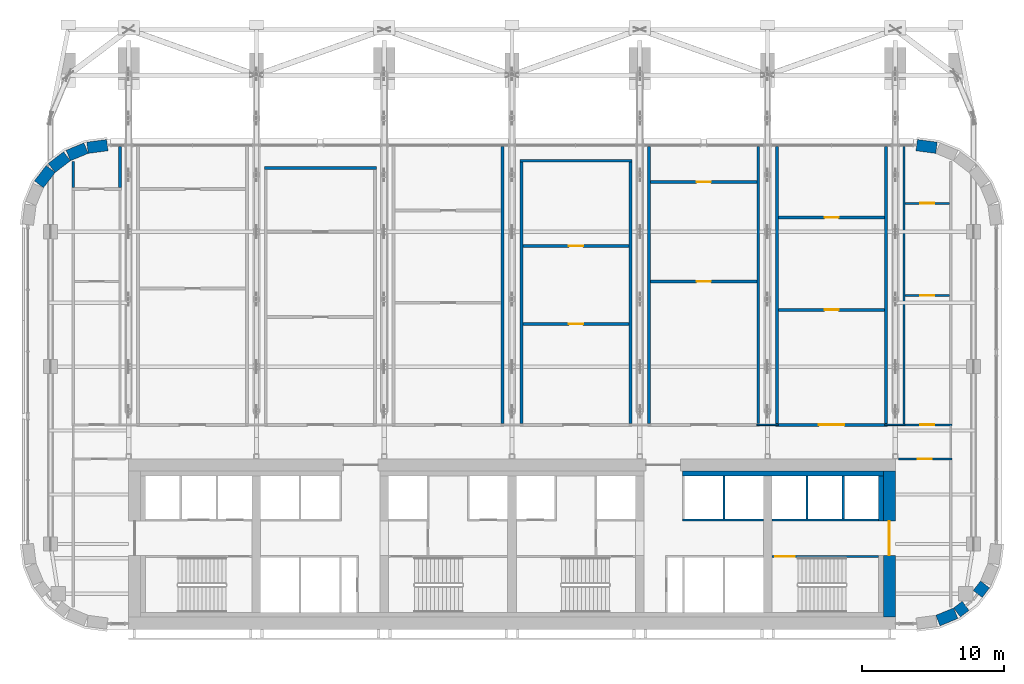
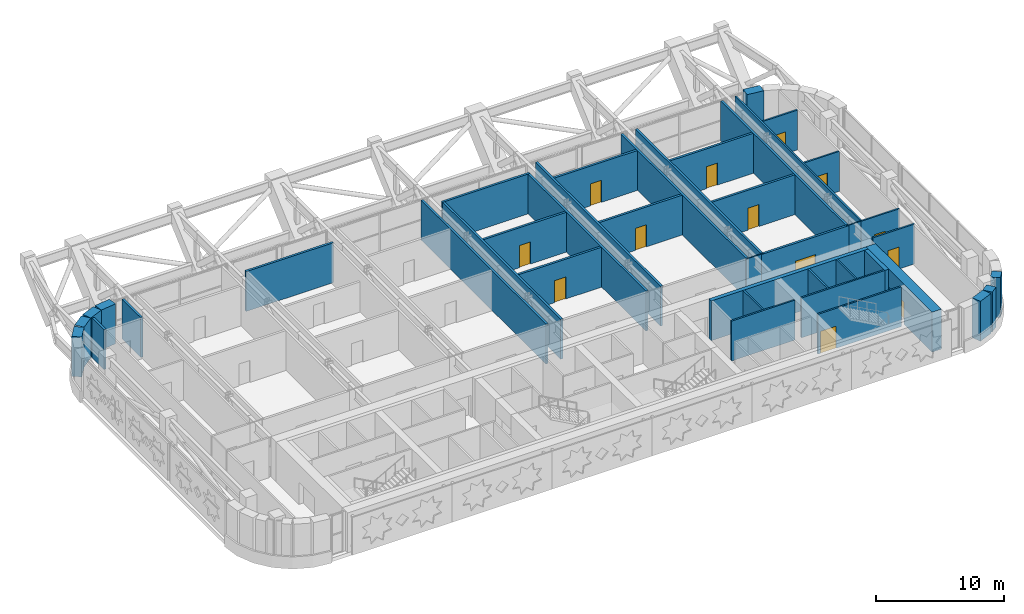
# One storey, part 14 of 23: 42 walls, 13 doors, 13 openings.
"""IFC4 building model written with IfcOpenShell, lengths in metres."""

from ifc_helpers import new_model, si_unit, direction, frame, frame_2d, origin, place, context, subcontext, project, spatial, rectangle, extrude, material, layer, layer_set, type_object, element, fill, save


model = new_model("IFC4")

# Units and contexts
model_context = context("Model", 3, precision=1e-05, world=origin(), true_north=direction((0.0, 1.0)))
body_context = subcontext(model_context, "Body", "Model", "MODEL_VIEW")
ifc_project = project(units=[si_unit("LENGTHUNIT", "METRE"), si_unit("AREAUNIT", "SQUARE_METRE"), si_unit("VOLUMEUNIT", "CUBIC_METRE"), si_unit("PLANEANGLEUNIT", "RADIAN"), si_unit("MASSUNIT", "GRAM", prefix="KILO")], contexts=[model_context])

# Site, building, storey
site_placement = place(None, origin())
site = spatial("IfcSite", under=ifc_project, at=site_placement, CompositionType="ELEMENT")
building_placement = place(site_placement, origin())
building = spatial("IfcBuilding", under=site, at=building_placement, Name="Zellij Exchange Tower", CompositionType="ELEMENT")
storey_placement = place(building_placement, frame((0.0, 0.0, 160.5)))
storey = spatial("IfcBuildingStorey", under=building, at=storey_placement, Name="L36", CompositionType="ELEMENT", Elevation=160.5)

# Walls
ifc_material_1 = material(Name="Concrete C30/37", Category="concrete")
ifc_layer_1 = layer(ifc_material_1, 0.35009765625)
ifc_layer_set_1 = layer_set([ifc_layer_1], Name="Concrete C30/37")
wall_type_1 = type_object("IfcWallType", Name="CORE-LW 350 C30/37", PredefinedType="SHEAR", material=ifc_layer_set_1)
wall_1_placement = place(storey_placement, frame((12.0, -3.02490234375, 0.0), z_axis=(0.0, 0.0, 1.0), x_axis=(1.0, 0.0, 0.0)))
element("IfcWall", 1, at=wall_1_placement, inside=storey, type_object=wall_type_1, Name="Core wall lining front.2 L36", PredefinedType="SHEAR", context=body_context, shape_type="SweptSolid", body=[
    extrude(rectangle(XDim=14.14990234375, YDim=0.35009765625, at=frame_2d((7.074951171875, 0.0))), origin(), (0.0, 0.0, 1.0), 3.800048828125),
])
wall_2_placement = place(storey_placement, frame((25.97509765625, -6.375, 0.0), z_axis=(0.0, 0.0, 1.0), x_axis=(0.0, 1.0, 0.0)))
element("IfcWall", 2, at=wall_2_placement, inside=storey, type_object=wall_type_1, Name="Core wall lining end e.1 L36", PredefinedType="SHEAR", context=body_context, shape_type="SweptSolid", body=[
    extrude(rectangle(XDim=3.175048828125, YDim=0.35009765625, at=frame_2d((1.58740234375, 0.0))), origin(), (0.0, 0.0, 1.0), 3.800048828125),
])
ifc_material_2 = material(Name="Gypsum shaft wall system")
ifc_layer_2 = layer(ifc_material_2, 0.14990234375)
ifc_layer_set_2 = layer_set([ifc_layer_2], Name="Gypsum shaft wall system")
wall_type_2 = type_object("IfcWallType", Name="CORE-PW 150 Lift shaft wall", PredefinedType="PARTITIONING", material=ifc_layer_set_2)
for number, where, z_axis, x_axis, name in (
    (3, (14.925048828125, -6.22509765625, 0.0), (0.0, 0.0, 1.0), (0.0, 1.0, 0.0), "Lift shaft wall L36"),
    (4, (20.77490234375, -6.22509765625, 0.0), (0.0, 0.0, 1.0), (0.0, 1.0, 0.0), "Lift shaft wall L36"),
    (5, (23.324951171875, -6.22509765625, 0.0), (0.0, 0.0, 1.0), (0.0, 1.0, 0.0), "Lift shaft wall L36"),
):
    element("IfcWall", number, at=place(storey_placement, frame(where, z_axis=z_axis, x_axis=x_axis)), inside=storey, type_object=wall_type_2, Name=name, PredefinedType="PARTITIONING", context=body_context, shape_type="SweptSolid", body=[
        extrude(rectangle(XDim=3.025146484375, YDim=0.14990234375, at=frame_2d((1.5126953125, 0.0))), origin(), (0.0, 0.0, 1.0), 3.800048828125),
    ])
wall_3_placement = place(storey_placement, frame((12.0, -6.300048828125, 0.0), z_axis=(0.0, 0.0, 1.0), x_axis=(1.0, 0.0, 0.0)))
element("IfcWall", 6, at=wall_3_placement, inside=storey, type_object=wall_type_2, Name="Lift shaft wall L36", PredefinedType="PARTITIONING", context=body_context, shape_type="SweptSolid", body=[
    extrude(rectangle(XDim=5.699951171875, YDim=0.14990234375, at=frame_2d((2.85009765625, 0.0))), origin(), (0.0, 0.0, 1.0), 3.800048828125),
])
wall_4_placement = place(storey_placement, frame((18.300048828125, -6.300048828125, 0.0), z_axis=(0.0, 0.0, 1.0), x_axis=(1.0, 0.0, 0.0)))
element("IfcWall", 7, at=wall_4_placement, inside=storey, type_object=wall_type_2, Name="Lift shaft wall L36", PredefinedType="PARTITIONING", context=body_context, shape_type="SweptSolid", body=[
    extrude(rectangle(XDim=7.5, YDim=0.14990234375, at=frame_2d((3.75, 0.0))), origin(), (0.0, 0.0, 1.0), 3.800048828125),
])

# Wall, opening, door
ifc_material_3 = material(Name="Concrete C60/75", Category="concrete")
ifc_layer_3 = layer(ifc_material_3, 0.85009765625)
ifc_layer_set_3 = layer_set([ifc_layer_3], Name="Concrete C60/75")
wall_type_3 = type_object("IfcWallType", Name="CORE-SW 850 C60/75", PredefinedType="SHEAR", material=ifc_layer_set_3)
wall_5_placement = place(storey_placement, frame((26.574951171875, -13.14990234375, 0.0), z_axis=(0.0, 0.0, 1.0), x_axis=(0.0, 1.0, 0.0)))
wall_5 = element("IfcWall", 8, at=wall_5_placement, inside=storey, type_object=wall_type_3, Name="Core shear wall end e L36", PredefinedType="SHEAR", context=body_context, shape_type="SweptSolid", body=[
    extrude(rectangle(XDim=10.2998046875, YDim=0.85009765625, at=frame_2d((5.14990234375, 0.0))), origin(), (0.0, 0.0, 1.0), 3.800048828125),
])
opening_1_placement = place(wall_5_placement, frame((4.362060546875, 0.0, 0.0)))
opening_1 = element("IfcOpeningElement", 9, at=opening_1_placement, cuts=wall_5, Name="Opening CA-20.16", PredefinedType="OPENING", context=body_context, shape_type="SweptSolid", body=[
    extrude(rectangle(XDim=2.39990234375, YDim=2.10009765625, at=frame_2d((1.199951171875, 1.050048828125))), frame((0.0, 0.43701171875, 0.0), z_axis=(0.0, -1.0, 0.0), x_axis=(1.0, 0.0, 0.0)), (0.0, 0.0, 1.0), 0.8740234375),
])
ifc_material_4 = material(Name="Hollow metal fire door")
door_type_1 = type_object("IfcDoorType", Name="CORE-D CE Core entrance door 2400x2100 20 MIN", OperationType="NOTDEFINED", PredefinedType="DOOR", material=ifc_material_4)
door_1_placement = place(opening_1_placement, origin())
door_1 = element("IfcDoor", 10, at=door_1_placement, inside=storey, type_object=door_type_1, Name="Core entrance door CA-20.16", OperationType="DOUBLE_DOOR_SINGLE_SWING", OverallHeight=2.10009765625, OverallWidth=2.39990234375, PredefinedType="DOOR", context=body_context, shape_type="SweptSolid", body=[
    extrude(rectangle(XDim=2.39990234375, YDim=2.10009765625, at=frame_2d((1.199951171875, 1.050048828125))), frame((0.0, 0.02490234375, 0.0), z_axis=(0.0, -1.0, 0.0), x_axis=(1.0, 0.0, 0.0)), (0.0, 0.0, 1.0), 0.050048828125),
])
fill(opening_1, door_1)

ifc_layer_4 = layer(ifc_material_3, 0.14990234375)
ifc_layer_set_4 = layer_set([ifc_layer_4], Name="Concrete C60/75")
wall_type_4 = type_object("IfcWallType", Name="CORE-SWS 150 C60/75", PredefinedType="SHEAR", material=ifc_layer_set_4)
wall_6_placement = place(storey_placement, frame((18.300048828125, -8.875, 0.0), z_axis=(0.0, 0.0, 1.0), x_axis=(1.0, 0.0, 0.0)))
wall_6 = element("IfcWall", 11, at=wall_6_placement, inside=storey, type_object=wall_type_4, Name="Stair enclosure wall L36", PredefinedType="SHEAR", context=body_context, shape_type="SweptSolid", body=[
    extrude(rectangle(XDim=7.5, YDim=0.14990234375, at=frame_2d((3.75, 0.0))), origin(), (0.0, 0.0, 1.0), 3.800048828125),
])
opening_2_placement = place(wall_6_placement, frame((0.22509765625, 0.0, 0.0)))
opening_2 = element("IfcOpeningElement", 12, at=opening_2_placement, cuts=wall_6, Name="Opening CA-20.15", PredefinedType="OPENING", context=body_context, shape_type="SweptSolid", body=[
    extrude(rectangle(XDim=1.39990234375, YDim=2.10009765625, at=frame_2d((0.699951171875, 1.050048828125))), frame((0.0, 0.0869140625, 0.0), z_axis=(0.0, -1.0, 0.0), x_axis=(1.0, 0.0, 0.0)), (0.0, 0.0, 1.0), 0.173828125),
])
door_type_2 = type_object("IfcDoorType", Name="CORE-D SD Stair door 1400x2100 1.5 HR", OperationType="NOTDEFINED", PredefinedType="DOOR", material=ifc_material_4)
door_2_placement = place(opening_2_placement, origin())
door_2 = element("IfcDoor", 13, at=door_2_placement, inside=storey, type_object=door_type_2, Name="Stair door CA-20.15", OperationType="DOUBLE_DOOR_SINGLE_SWING", OverallHeight=2.10009765625, OverallWidth=1.39990234375, PredefinedType="DOOR", context=body_context, shape_type="SweptSolid", body=[
    extrude(rectangle(XDim=1.39990234375, YDim=2.10009765625, at=frame_2d((0.699951171875, 1.050048828125))), frame((0.0, 0.02490234375, 0.0), z_axis=(0.0, -1.0, 0.0), x_axis=(1.0, 0.0, 0.0)), (0.0, 0.0, 1.0), 0.050048828125),
])
fill(opening_2, door_2)

# Walls
ifc_material_5 = material(Name="Precast concrete C40/50", Category="concrete")
ifc_layer_5 = layer(ifc_material_5, 0.800048828125)
ifc_layer_set_5 = layer_set([ifc_layer_5], Name="Precast concrete C40/50")
wall_type_5 = type_object("IfcWallType", Name="ENV-EW1 Precast stone-piered wall 800", PredefinedType="SOLIDWALL", material=ifc_layer_set_5)
wall_7_placement = place(storey_placement, frame((29.997314453125, -13.3857421875, 0.0), z_axis=(0.0, 0.0, 1.0), x_axis=(0.923847774587, 0.38276009378, 0.0)))
element("IfcWall", 14, at=wall_7_placement, inside=storey, type_object=wall_type_5, Name="fac.L36.02", PredefinedType="SOLIDWALL", context=body_context, shape_type="SweptSolid", body=[
    extrude(rectangle(XDim=1.35546875, YDim=0.800048828125, at=frame_2d((0.677734375, 0.0))), origin(), (0.0, 0.0, 1.0), 3.800048828125),
])
wall_8_placement = place(storey_placement, frame((31.340087890625, -12.814697265625, 0.0), z_axis=(0.0, 0.0, 1.0), x_axis=(0.793380840338, 0.608725588574, 0.0)))
element("IfcWall", 15, at=wall_8_placement, inside=storey, type_object=wall_type_5, Name="fac.L36.03", PredefinedType="SOLIDWALL", context=body_context, shape_type="SweptSolid", body=[
    extrude(rectangle(XDim=0.766845703125, YDim=0.800048828125, at=frame_2d((0.38330078125, 0.0))), origin(), (0.0, 0.0, 1.0), 3.800048828125),
])
wall_9_placement = place(storey_placement, frame((32.7978515625, -11.513671875, 0.0), z_axis=(0.0, 0.0, 1.0), x_axis=(0.608751445631, 0.793361000707, 0.0)))
element("IfcWall", 16, at=wall_9_placement, inside=storey, type_object=wall_type_5, Name="fac.L36.04", PredefinedType="SOLIDWALL", context=body_context, shape_type="SweptSolid", body=[
    extrude(rectangle(XDim=0.84912109375, YDim=0.800048828125, at=frame_2d((0.424560546875, 0.0))), origin(), (0.0, 0.0, 1.0), 3.800048828125),
])
for number, where, z_axis, x_axis, name in (
    (17, (29.896240234375, 19.912841796875, 0.0), (0.0, 0.0, 1.0), (-0.99144603414, 0.130517283865, 0.0), "fac.L36.13"),
    (18, (-28.499755859375, 20.0966796875, 0.0), (0.0, 0.0, 1.0), (-0.99144603414, -0.130517283865, 0.0), "fac.L36.15"),
):
    element("IfcWall", number, at=place(storey_placement, frame(where, z_axis=z_axis, x_axis=x_axis)), inside=storey, type_object=wall_type_5, Name=name, PredefinedType="SOLIDWALL", context=body_context, shape_type="SweptSolid", body=[
        extrude(rectangle(XDim=1.408447265625, YDim=0.800048828125, at=frame_2d((0.7041015625, 0.0))), origin(), (0.0, 0.0, 1.0), 3.800048828125),
    ])
wall_10_placement = place(storey_placement, frame((-29.997314453125, 19.8857421875, 0.0), z_axis=(0.0, 0.0, 1.0), x_axis=(-0.923847774587, -0.38276009378, 0.0)))
element("IfcWall", 19, at=wall_10_placement, inside=storey, type_object=wall_type_5, Name="fac.L36.16", PredefinedType="SOLIDWALL", context=body_context, shape_type="SweptSolid", body=[
    extrude(rectangle(XDim=1.35546875, YDim=0.800048828125, at=frame_2d((0.677734375, 0.0))), origin(), (0.0, 0.0, 1.0), 3.800048828125),
])
for number, where, z_axis, x_axis, name in (
    (20, (-31.340087890625, 19.314697265625, 0.0), (0.0, 0.0, 1.0), (-0.793272915452, -0.608866226366, 0.0), "fac.L36.17"),
    (21, (-32.4892578125, 18.41552734375, 0.0), (0.0, 0.0, 1.0), (-0.608866226366, -0.793272915452, 0.0), "fac.L36.18"),
):
    element("IfcWall", number, at=place(storey_placement, frame(where, z_axis=z_axis, x_axis=x_axis)), inside=storey, type_object=wall_type_5, Name=name, PredefinedType="SOLIDWALL", context=body_context, shape_type="SweptSolid", body=[
        extrude(rectangle(XDim=1.355712890625, YDim=0.800048828125, at=frame_2d((0.677734375, 0.0))), origin(), (0.0, 0.0, 1.0), 3.800048828125),
    ])
ifc_material_6 = material(Name="Blockwork fire wall", Category="masonry")
ifc_layer_6 = layer(ifc_material_6, 0.199951171875)
ifc_layer_set_6 = layer_set([ifc_layer_6], Name="Blockwork fire wall")
wall_type_6 = type_object("IfcWallType", Name="FIT-BLOCKWORK-200-EI120", PredefinedType="PARTITIONING", material=ifc_layer_set_6)
wall_11_placement = place(storey_placement, frame((-0.659912109375, 0.5, 0.0), z_axis=(0.0, 0.0, 1.0), x_axis=(0.0, 1.0, 0.0)))
element("IfcWall", 22, at=wall_11_placement, inside=storey, type_object=wall_type_6, Name="FIT-BLOCKWORK-200-EI120 022", PredefinedType="PARTITIONING", context=body_context, shape_type="SweptSolid", body=[
    extrude(rectangle(XDim=19.49609375, YDim=0.199951171875, at=frame_2d((9.748046875, 0.0))), origin(), (0.0, 0.0, 1.0), 3.800048828125),
])
for number, where, z_axis, x_axis, name in (
    (23, (0.659912109375, 0.5, 0.0), (0.0, 0.0, 1.0), (0.0, 1.0, 0.0), "FIT-BLOCKWORK-200-EI120 024"),
    (24, (8.340087890625, 0.5, 0.0), (0.0, 0.0, 1.0), (0.0, 1.0, 0.0), "FIT-BLOCKWORK-200-EI120 026"),
):
    element("IfcWall", number, at=place(storey_placement, frame(where, z_axis=z_axis, x_axis=x_axis)), inside=storey, type_object=wall_type_6, Name=name, PredefinedType="PARTITIONING", context=body_context, shape_type="SweptSolid", body=[
        extrude(rectangle(XDim=18.39990234375, YDim=0.199951171875, at=frame_2d((9.199951171875, 0.0))), origin(), (0.0, 0.0, 1.0), 3.800048828125),
    ])
for number, where, z_axis, x_axis, name in (
    (25, (9.659912109375, 0.5, 0.0), (0.0, 0.0, 1.0), (0.0, 1.0, 0.0), "FIT-BLOCKWORK-200-EI120 028"),
    (26, (17.340087890625, 0.5, 0.0), (0.0, 0.0, 1.0), (0.0, 1.0, 0.0), "FIT-BLOCKWORK-200-EI120 030"),
):
    element("IfcWall", number, at=place(storey_placement, frame(where, z_axis=z_axis, x_axis=x_axis)), inside=storey, type_object=wall_type_6, Name=name, PredefinedType="PARTITIONING", context=body_context, shape_type="SweptSolid", body=[
        extrude(rectangle(XDim=19.49609375, YDim=0.199951171875, at=frame_2d((9.748046875, 0.0))), origin(), (0.0, 0.0, 1.0), 3.800048828125),
    ])

# Wall, opening, door
wall_12_placement = place(storey_placement, frame((18.56005859375, 0.39990234375, 0.0), z_axis=(0.0, 0.0, 1.0), x_axis=(1.0, 0.0, 0.0)))
wall_12 = element("IfcWall", 27, at=wall_12_placement, inside=storey, type_object=wall_type_6, Name="FIT-BLOCKWORK-200-EI120 031", PredefinedType="PARTITIONING", context=body_context, shape_type="SweptSolid", body=[
    extrude(rectangle(XDim=7.8798828125, YDim=0.199951171875, at=frame_2d((3.93994140625, 0.0))), origin(), (0.0, 0.0, 1.0), 3.800048828125),
])
opening_3_placement = place(wall_12_placement, frame((3.050048828125, 0.0, 0.0)))
opening_3 = element("IfcOpeningElement", 28, at=opening_3_placement, cuts=wall_12, Name="Opening PL36.09", PredefinedType="OPENING", context=body_context, shape_type="SweptSolid", body=[
    extrude(rectangle(XDim=1.800048828125, YDim=2.10009765625, at=frame_2d((0.89990234375, 1.050048828125))), frame((0.0, 0.11181640625, 0.0), z_axis=(0.0, -1.0, 0.0), x_axis=(1.0, 0.0, 0.0)), (0.0, 0.0, 1.0), 0.223876953125),
])
ifc_material_7 = material(Name="Steel fire door set", Category="steel")
door_type_3 = type_object("IfcDoorType", Name="FIT-D5-FIRE-DOUBLE-1800X2100", OperationType="DOUBLE_DOOR_SINGLE_SWING", PredefinedType="DOOR", material=ifc_material_7)
door_3_placement = place(opening_3_placement, origin())
door_3 = element("IfcDoor", 29, at=door_3_placement, inside=storey, type_object=door_type_3, Name="Door PL36.09", OperationType="DOUBLE_DOOR_SINGLE_SWING", OverallHeight=2.10009765625, OverallWidth=1.800048828125, PredefinedType="DOOR", context=body_context, shape_type="SweptSolid", body=[
    extrude(rectangle(XDim=1.800048828125, YDim=2.10009765625, at=frame_2d((0.89990234375, 1.050048828125))), frame((0.0, 0.02490234375, 0.0), z_axis=(0.0, -1.0, 0.0), x_axis=(1.0, 0.0, 0.0)), (0.0, 0.0, 1.0), 0.050048828125),
])
fill(opening_3, door_3)

# Walls
for number, where, z_axis, x_axis, name in (
    (30, (18.659912109375, 0.5, 0.0), (0.0, 0.0, 1.0), (0.0, 1.0, 0.0), "FIT-BLOCKWORK-200-EI120 032"),
    (31, (26.340087890625, 0.5, 0.0), (0.0, 0.0, 1.0), (0.0, 1.0, 0.0), "FIT-BLOCKWORK-200-EI120 034"),
):
    element("IfcWall", number, at=place(storey_placement, frame(where, z_axis=z_axis, x_axis=x_axis)), inside=storey, type_object=wall_type_6, Name=name, PredefinedType="PARTITIONING", context=body_context, shape_type="SweptSolid", body=[
        extrude(rectangle(XDim=19.49609375, YDim=0.199951171875, at=frame_2d((9.748046875, 0.0))), origin(), (0.0, 0.0, 1.0), 3.800048828125),
    ])

# Wall, opening, door
wall_13_placement = place(storey_placement, frame((0.760009765625, 7.5, 0.0), z_axis=(0.0, 0.0, 1.0), x_axis=(1.0, 0.0, 0.0)))
wall_13 = element("IfcWall", 32, at=wall_13_placement, inside=storey, type_object=wall_type_6, Name="FIT-BLOCKWORK-200-EI120 038", PredefinedType="PARTITIONING", context=body_context, shape_type="SweptSolid", body=[
    extrude(rectangle(XDim=7.47998046875, YDim=0.199951171875, at=frame_2d((3.739990234375, 0.0))), origin(), (0.0, 0.0, 1.0), 3.800048828125),
])
opening_4_placement = place(wall_13_placement, frame((3.25, 0.0, 0.0)))
opening_4 = element("IfcOpeningElement", 33, at=opening_4_placement, cuts=wall_13, Name="Opening PL36.11", PredefinedType="OPENING", context=body_context, shape_type="SweptSolid", body=[
    extrude(rectangle(XDim=1.0, YDim=2.10009765625, at=frame_2d((0.5, 1.050048828125))), frame((0.0, 0.11181640625, 0.0), z_axis=(0.0, -1.0, 0.0), x_axis=(1.0, 0.0, 0.0)), (0.0, 0.0, 1.0), 0.223876953125),
])
door_type_4 = type_object("IfcDoorType", Name="FIT-D4-FIRE-1000X2100", OperationType="SINGLE_SWING_LEFT", PredefinedType="DOOR", material=ifc_material_7)
door_4_placement = place(opening_4_placement, origin())
door_4 = element("IfcDoor", 34, at=door_4_placement, inside=storey, type_object=door_type_4, Name="Door PL36.11", OperationType="SINGLE_SWING_RIGHT", OverallHeight=2.10009765625, OverallWidth=1.0, PredefinedType="DOOR", context=body_context, shape_type="SweptSolid", body=[
    extrude(rectangle(XDim=1.0, YDim=2.10009765625, at=frame_2d((0.5, 1.050048828125))), frame((0.0, 0.02490234375, 0.0), z_axis=(0.0, -1.0, 0.0), x_axis=(1.0, 0.0, 0.0)), (0.0, 0.0, 1.0), 0.050048828125),
])
fill(opening_4, door_4)

wall_14_placement = place(storey_placement, frame((18.760009765625, 8.5, 0.0), z_axis=(0.0, 0.0, 1.0), x_axis=(1.0, 0.0, 0.0)))
wall_14 = element("IfcWall", 35, at=wall_14_placement, inside=storey, type_object=wall_type_6, Name="FIT-BLOCKWORK-200-EI120 040", PredefinedType="PARTITIONING", context=body_context, shape_type="SweptSolid", body=[
    extrude(rectangle(XDim=7.47998046875, YDim=0.199951171875, at=frame_2d((3.739990234375, 0.0))), origin(), (0.0, 0.0, 1.0), 3.800048828125),
])
opening_5_placement = place(wall_14_placement, frame((3.25, 0.0, 0.0)))
opening_5 = element("IfcOpeningElement", 36, at=opening_5_placement, cuts=wall_14, Name="Opening PL36.13", PredefinedType="OPENING", context=body_context, shape_type="SweptSolid", body=[
    extrude(rectangle(XDim=1.0, YDim=2.10009765625, at=frame_2d((0.5, 1.050048828125))), frame((0.0, 0.11181640625, 0.0), z_axis=(0.0, -1.0, 0.0), x_axis=(1.0, 0.0, 0.0)), (0.0, 0.0, 1.0), 0.223876953125),
])
door_5_placement = place(opening_5_placement, origin())
door_5 = element("IfcDoor", 37, at=door_5_placement, inside=storey, type_object=door_type_4, Name="Door PL36.13", OperationType="SINGLE_SWING_RIGHT", OverallHeight=2.10009765625, OverallWidth=1.0, PredefinedType="DOOR", context=body_context, shape_type="SweptSolid", body=[
    extrude(rectangle(XDim=1.0, YDim=2.10009765625, at=frame_2d((0.5, 1.050048828125))), frame((0.0, 0.02490234375, 0.0), z_axis=(0.0, -1.0, 0.0), x_axis=(1.0, 0.0, 0.0)), (0.0, 0.0, 1.0), 0.050048828125),
])
fill(opening_5, door_5)

wall_15_placement = place(storey_placement, frame((9.760009765625, 10.5, 0.0), z_axis=(0.0, 0.0, 1.0), x_axis=(1.0, 0.0, 0.0)))
wall_15 = element("IfcWall", 38, at=wall_15_placement, inside=storey, type_object=wall_type_6, Name="FIT-BLOCKWORK-200-EI120 045", PredefinedType="PARTITIONING", context=body_context, shape_type="SweptSolid", body=[
    extrude(rectangle(XDim=7.47998046875, YDim=0.199951171875, at=frame_2d((3.739990234375, 0.0))), origin(), (0.0, 0.0, 1.0), 3.800048828125),
])
opening_6_placement = place(wall_15_placement, frame((3.25, 0.0, 0.0)))
opening_6 = element("IfcOpeningElement", 39, at=opening_6_placement, cuts=wall_15, Name="Opening PL36.18", PredefinedType="OPENING", context=body_context, shape_type="SweptSolid", body=[
    extrude(rectangle(XDim=1.0, YDim=2.10009765625, at=frame_2d((0.5, 1.050048828125))), frame((0.0, 0.11181640625, 0.0), z_axis=(0.0, -1.0, 0.0), x_axis=(1.0, 0.0, 0.0)), (0.0, 0.0, 1.0), 0.223876953125),
])
door_6_placement = place(opening_6_placement, origin())
door_6 = element("IfcDoor", 40, at=door_6_placement, inside=storey, type_object=door_type_4, Name="Door PL36.18", OperationType="SINGLE_SWING_RIGHT", OverallHeight=2.10009765625, OverallWidth=1.0, PredefinedType="DOOR", context=body_context, shape_type="SweptSolid", body=[
    extrude(rectangle(XDim=1.0, YDim=2.10009765625, at=frame_2d((0.5, 1.050048828125))), frame((0.0, 0.02490234375, 0.0), z_axis=(0.0, -1.0, 0.0), x_axis=(1.0, 0.0, 0.0)), (0.0, 0.0, 1.0), 0.050048828125),
])
fill(opening_6, door_6)

wall_16_placement = place(storey_placement, frame((0.760009765625, 13.0, 0.0), z_axis=(0.0, 0.0, 1.0), x_axis=(1.0, 0.0, 0.0)))
wall_16 = element("IfcWall", 41, at=wall_16_placement, inside=storey, type_object=wall_type_6, Name="FIT-BLOCKWORK-200-EI120 046", PredefinedType="PARTITIONING", context=body_context, shape_type="SweptSolid", body=[
    extrude(rectangle(XDim=7.47998046875, YDim=0.199951171875, at=frame_2d((3.739990234375, 0.0))), origin(), (0.0, 0.0, 1.0), 3.800048828125),
])
opening_7_placement = place(wall_16_placement, frame((3.25, 0.0, 0.0)))
opening_7 = element("IfcOpeningElement", 42, at=opening_7_placement, cuts=wall_16, Name="Opening PL36.19", PredefinedType="OPENING", context=body_context, shape_type="SweptSolid", body=[
    extrude(rectangle(XDim=1.0, YDim=2.10009765625, at=frame_2d((0.5, 1.050048828125))), frame((0.0, 0.11181640625, 0.0), z_axis=(0.0, -1.0, 0.0), x_axis=(1.0, 0.0, 0.0)), (0.0, 0.0, 1.0), 0.223876953125),
])
door_7_placement = place(opening_7_placement, origin())
door_7 = element("IfcDoor", 43, at=door_7_placement, inside=storey, type_object=door_type_4, Name="Door PL36.19", OperationType="SINGLE_SWING_RIGHT", OverallHeight=2.10009765625, OverallWidth=1.0, PredefinedType="DOOR", context=body_context, shape_type="SweptSolid", body=[
    extrude(rectangle(XDim=1.0, YDim=2.10009765625, at=frame_2d((0.5, 1.050048828125))), frame((0.0, 0.02490234375, 0.0), z_axis=(0.0, -1.0, 0.0), x_axis=(1.0, 0.0, 0.0)), (0.0, 0.0, 1.0), 0.050048828125),
])
fill(opening_7, door_7)

wall_17_placement = place(storey_placement, frame((18.760009765625, 15.0, 0.0), z_axis=(0.0, 0.0, 1.0), x_axis=(1.0, 0.0, 0.0)))
wall_17 = element("IfcWall", 44, at=wall_17_placement, inside=storey, type_object=wall_type_6, Name="FIT-BLOCKWORK-200-EI120 048", PredefinedType="PARTITIONING", context=body_context, shape_type="SweptSolid", body=[
    extrude(rectangle(XDim=7.47998046875, YDim=0.199951171875, at=frame_2d((3.739990234375, 0.0))), origin(), (0.0, 0.0, 1.0), 3.800048828125),
])
opening_8_placement = place(wall_17_placement, frame((3.25, 0.0, 0.0)))
opening_8 = element("IfcOpeningElement", 45, at=opening_8_placement, cuts=wall_17, Name="Opening PL36.21", PredefinedType="OPENING", context=body_context, shape_type="SweptSolid", body=[
    extrude(rectangle(XDim=1.0, YDim=2.10009765625, at=frame_2d((0.5, 1.050048828125))), frame((0.0, 0.11181640625, 0.0), z_axis=(0.0, -1.0, 0.0), x_axis=(1.0, 0.0, 0.0)), (0.0, 0.0, 1.0), 0.223876953125),
])
door_8_placement = place(opening_8_placement, origin())
door_8 = element("IfcDoor", 46, at=door_8_placement, inside=storey, type_object=door_type_4, Name="Door PL36.21", OperationType="SINGLE_SWING_RIGHT", OverallHeight=2.10009765625, OverallWidth=1.0, PredefinedType="DOOR", context=body_context, shape_type="SweptSolid", body=[
    extrude(rectangle(XDim=1.0, YDim=2.10009765625, at=frame_2d((0.5, 1.050048828125))), frame((0.0, 0.02490234375, 0.0), z_axis=(0.0, -1.0, 0.0), x_axis=(1.0, 0.0, 0.0)), (0.0, 0.0, 1.0), 0.050048828125),
])
fill(opening_8, door_8)

# Walls
wall_18_placement = place(storey_placement, frame((-30.89990234375, 17.10009765625, 0.0), z_axis=(0.0, 0.0, 1.0), x_axis=(0.0, 1.0, 0.0)))
element("IfcWall", 47, at=wall_18_placement, inside=storey, type_object=wall_type_6, Name="FIT-BLOCKWORK-200-EI120 052", PredefinedType="PARTITIONING", context=body_context, shape_type="SweptSolid", body=[
    extrude(rectangle(XDim=1.83984375, YDim=0.199951171875, at=frame_2d((0.919921875, 0.0))), origin(), (0.0, 0.0, 1.0), 3.800048828125),
])
wall_19_placement = place(storey_placement, frame((-27.60009765625, 17.10009765625, 0.0), z_axis=(0.0, 0.0, 1.0), x_axis=(0.0, 1.0, 0.0)))
element("IfcWall", 48, at=wall_19_placement, inside=storey, type_object=wall_type_6, Name="FIT-BLOCKWORK-200-EI120 053", PredefinedType="PARTITIONING", context=body_context, shape_type="SweptSolid", body=[
    extrude(rectangle(XDim=2.89599609375, YDim=0.199951171875, at=frame_2d((1.447998046875, 0.0))), origin(), (0.0, 0.0, 1.0), 3.800048828125),
])

# Wall, opening, door
wall_20_placement = place(storey_placement, frame((9.760009765625, 17.5, 0.0), z_axis=(0.0, 0.0, 1.0), x_axis=(1.0, 0.0, 0.0)))
wall_20 = element("IfcWall", 49, at=wall_20_placement, inside=storey, type_object=wall_type_6, Name="FIT-BLOCKWORK-200-EI120 055", PredefinedType="PARTITIONING", context=body_context, shape_type="SweptSolid", body=[
    extrude(rectangle(XDim=7.47998046875, YDim=0.199951171875, at=frame_2d((3.739990234375, 0.0))), origin(), (0.0, 0.0, 1.0), 3.800048828125),
])
opening_9_placement = place(wall_20_placement, frame((3.25, 0.0, 0.0)))
opening_9 = element("IfcOpeningElement", 50, at=opening_9_placement, cuts=wall_20, Name="Opening PL36.26", PredefinedType="OPENING", context=body_context, shape_type="SweptSolid", body=[
    extrude(rectangle(XDim=1.0, YDim=2.10009765625, at=frame_2d((0.5, 1.050048828125))), frame((0.0, 0.11181640625, 0.0), z_axis=(0.0, -1.0, 0.0), x_axis=(1.0, 0.0, 0.0)), (0.0, 0.0, 1.0), 0.223876953125),
])
door_9_placement = place(opening_9_placement, origin())
door_9 = element("IfcDoor", 51, at=door_9_placement, inside=storey, type_object=door_type_4, Name="Door PL36.26", OperationType="SINGLE_SWING_RIGHT", OverallHeight=2.10009765625, OverallWidth=1.0, PredefinedType="DOOR", context=body_context, shape_type="SweptSolid", body=[
    extrude(rectangle(XDim=1.0, YDim=2.10009765625, at=frame_2d((0.5, 1.050048828125))), frame((0.0, 0.02490234375, 0.0), z_axis=(0.0, -1.0, 0.0), x_axis=(1.0, 0.0, 0.0)), (0.0, 0.0, 1.0), 0.050048828125),
])
fill(opening_9, door_9)

# Walls
for number, where, z_axis, x_axis, name in (
    (52, (-17.43994140625, 18.5, 0.0), (0.0, 0.0, 1.0), (1.0, 0.0, 0.0), "FIT-BLOCKWORK-200-EI120 056"),
    (53, (0.56005859375, 19.0, 0.0), (0.0, 0.0, 1.0), (1.0, 0.0, 0.0), "FIT-BLOCKWORK-200-EI120 057"),
):
    element("IfcWall", number, at=place(storey_placement, frame(where, z_axis=z_axis, x_axis=x_axis)), inside=storey, type_object=wall_type_6, Name=name, PredefinedType="PARTITIONING", context=body_context, shape_type="SweptSolid", body=[
        extrude(rectangle(XDim=7.8798828125, YDim=0.199951171875, at=frame_2d((3.93994140625, 0.0))), origin(), (0.0, 0.0, 1.0), 3.800048828125),
    ])
ifc_material_8 = material(Name="Gypsum board partition on steel studs", Category="steel")
ifc_layer_7 = layer(ifc_material_8, 0.10009765625)
ifc_layer_set_7 = layer_set([ifc_layer_7], Name="Gypsum board partition on steel studs")
wall_type_7 = type_object("IfcWallType", Name="FIT-PARTITION-100", PredefinedType="PARTITIONING", material=ifc_layer_set_7)
wall_21_placement = place(storey_placement, frame((17.239990234375, 0.39990234375, 0.0), z_axis=(0.0, 0.0, 1.0), x_axis=(1.0, 0.0, 0.0)))
element("IfcWall", 54, at=wall_21_placement, inside=storey, type_object=wall_type_7, Name="FIT-PARTITION-100 029", PredefinedType="PARTITIONING", context=body_context, shape_type="SweptSolid", body=[
    extrude(rectangle(XDim=1.52001953125, YDim=0.10009765625, at=frame_2d((0.760009765625, 0.0))), origin(), (0.0, 0.0, 1.0), 3.800048828125),
])
wall_22_placement = place(storey_placement, frame((26.239990234375, 0.39990234375, 0.0), z_axis=(0.0, 0.0, 1.0), x_axis=(1.0, 0.0, 0.0)))
element("IfcWall", 55, at=wall_22_placement, inside=storey, type_object=wall_type_7, Name="FIT-PARTITION-100 033", PredefinedType="PARTITIONING", context=body_context, shape_type="SweptSolid", body=[
    extrude(rectangle(XDim=1.43505859375, YDim=0.10009765625, at=frame_2d((0.717529296875, 0.0))), origin(), (0.0, 0.0, 1.0), 3.800048828125),
])

# Wall, opening, door
ifc_material_9 = material(Name="Gypsum board shaft-wall partition", Category="gypsum")
ifc_layer_8 = layer(ifc_material_9, 0.14990234375)
ifc_layer_set_8 = layer_set([ifc_layer_8], Name="Gypsum board shaft-wall partition")
wall_type_8 = type_object("IfcWallType", Name="FIT-PARTITION-150-EI60", PredefinedType="PARTITIONING", material=ifc_layer_set_8)
wall_23_placement = place(storey_placement, frame((27.2119140625, -2.0, 0.0), z_axis=(0.0, 0.0, 1.0), x_axis=(1.0, 0.0, 0.0)))
wall_23 = element("IfcWall", 56, at=wall_23_placement, inside=storey, type_object=wall_type_8, Name="FIT-PARTITION-150-EI60 005", PredefinedType="PARTITIONING", context=body_context, shape_type="SweptSolid", body=[
    extrude(rectangle(XDim=3.76318359375, YDim=0.14990234375, at=frame_2d((1.881591796875, 0.0))), origin(), (0.0, 0.0, 1.0), 3.800048828125),
])
opening_10_placement = place(wall_23_placement, frame((1.3662109375, 0.0, 0.0)))
opening_10 = element("IfcOpeningElement", 57, at=opening_10_placement, cuts=wall_23, Name="Opening PL36.02", PredefinedType="OPENING", context=body_context, shape_type="SweptSolid", body=[
    extrude(rectangle(XDim=1.0, YDim=2.10009765625, at=frame_2d((0.5, 1.050048828125))), frame((0.0, 0.0869140625, 0.0), z_axis=(0.0, -1.0, 0.0), x_axis=(1.0, 0.0, 0.0)), (0.0, 0.0, 1.0), 0.173828125),
])
door_10_placement = place(opening_10_placement, origin())
door_10 = element("IfcDoor", 58, at=door_10_placement, inside=storey, type_object=door_type_4, Name="Door PL36.02", OperationType="SINGLE_SWING_LEFT", OverallHeight=2.10009765625, OverallWidth=1.0, PredefinedType="DOOR", context=body_context, shape_type="SweptSolid", body=[
    extrude(rectangle(XDim=1.0, YDim=2.10009765625, at=frame_2d((0.5, 1.050048828125))), frame((0.0, 0.02490234375, 0.0), z_axis=(0.0, -1.0, 0.0), x_axis=(1.0, 0.0, 0.0)), (0.0, 0.0, 1.0), 0.050048828125),
])
fill(opening_10, door_10)

wall_24_placement = place(storey_placement, frame((27.52490234375, 0.39990234375, 0.0), z_axis=(0.0, 0.0, 1.0), x_axis=(1.0, 0.0, 0.0)))
wall_24 = element("IfcWall", 59, at=wall_24_placement, inside=storey, type_object=wall_type_8, Name="FIT-PARTITION-150-EI60 035", PredefinedType="PARTITIONING", context=body_context, shape_type="SweptSolid", body=[
    extrude(rectangle(XDim=3.4501953125, YDim=0.14990234375, at=frame_2d((1.72509765625, 0.0))), origin(), (0.0, 0.0, 1.0), 3.800048828125),
])
opening_11_placement = place(wall_24_placement, frame((1.22509765625, 0.0, 0.0)))
opening_11 = element("IfcOpeningElement", 60, at=opening_11_placement, cuts=wall_24, Name="Opening PL36.10", PredefinedType="OPENING", context=body_context, shape_type="SweptSolid", body=[
    extrude(rectangle(XDim=1.0, YDim=2.10009765625, at=frame_2d((0.5, 1.050048828125))), frame((0.0, 0.0869140625, 0.0), z_axis=(0.0, -1.0, 0.0), x_axis=(1.0, 0.0, 0.0)), (0.0, 0.0, 1.0), 0.173828125),
])
door_11_placement = place(opening_11_placement, origin())
door_11 = element("IfcDoor", 61, at=door_11_placement, inside=storey, type_object=door_type_4, Name="Door PL36.10", OperationType="SINGLE_SWING_RIGHT", OverallHeight=2.10009765625, OverallWidth=1.0, PredefinedType="DOOR", context=body_context, shape_type="SweptSolid", body=[
    extrude(rectangle(XDim=1.0, YDim=2.10009765625, at=frame_2d((0.5, 1.050048828125))), frame((0.0, 0.02490234375, 0.0), z_axis=(0.0, -1.0, 0.0), x_axis=(1.0, 0.0, 0.0)), (0.0, 0.0, 1.0), 0.050048828125),
])
fill(opening_11, door_11)

# Wall
wall_25_placement = place(storey_placement, frame((27.60009765625, 0.47509765625, 0.0), z_axis=(0.0, 0.0, 1.0), x_axis=(0.0, 1.0, 0.0)))
element("IfcWall", 62, at=wall_25_placement, inside=storey, type_object=wall_type_8, Name="FIT-PARTITION-150-EI60 036", PredefinedType="PARTITIONING", context=body_context, shape_type="SweptSolid", body=[
    extrude(rectangle(XDim=19.52099609375, YDim=0.14990234375, at=frame_2d((9.760498046875, 0.0))), origin(), (0.0, 0.0, 1.0), 3.800048828125),
])

# Wall, opening, door
wall_26_placement = place(storey_placement, frame((27.675048828125, 9.5, 0.0), z_axis=(0.0, 0.0, 1.0), x_axis=(1.0, 0.0, 0.0)))
wall_26 = element("IfcWall", 63, at=wall_26_placement, inside=storey, type_object=wall_type_8, Name="FIT-PARTITION-150-EI60 042", PredefinedType="PARTITIONING", context=body_context, shape_type="SweptSolid", body=[
    extrude(rectangle(XDim=3.14990234375, YDim=0.14990234375, at=frame_2d((1.574951171875, 0.0))), origin(), (0.0, 0.0, 1.0), 3.800048828125),
])
opening_12_placement = place(wall_26_placement, frame((1.074951171875, 0.0, 0.0)))
opening_12 = element("IfcOpeningElement", 64, at=opening_12_placement, cuts=wall_26, Name="Opening PL36.15", PredefinedType="OPENING", context=body_context, shape_type="SweptSolid", body=[
    extrude(rectangle(XDim=1.0, YDim=2.10009765625, at=frame_2d((0.5, 1.050048828125))), frame((0.0, 0.0869140625, 0.0), z_axis=(0.0, -1.0, 0.0), x_axis=(1.0, 0.0, 0.0)), (0.0, 0.0, 1.0), 0.173828125),
])
door_12_placement = place(opening_12_placement, origin())
door_12 = element("IfcDoor", 65, at=door_12_placement, inside=storey, type_object=door_type_4, Name="Door PL36.15", OperationType="SINGLE_SWING_RIGHT", OverallHeight=2.10009765625, OverallWidth=1.0, PredefinedType="DOOR", context=body_context, shape_type="SweptSolid", body=[
    extrude(rectangle(XDim=1.0, YDim=2.10009765625, at=frame_2d((0.5, 1.050048828125))), frame((0.0, 0.02490234375, 0.0), z_axis=(0.0, -1.0, 0.0), x_axis=(1.0, 0.0, 0.0)), (0.0, 0.0, 1.0), 0.050048828125),
])
fill(opening_12, door_12)

wall_27_placement = place(storey_placement, frame((27.675048828125, 16.0, 0.0), z_axis=(0.0, 0.0, 1.0), x_axis=(1.0, 0.0, 0.0)))
wall_27 = element("IfcWall", 66, at=wall_27_placement, inside=storey, type_object=wall_type_8, Name="FIT-PARTITION-150-EI60 050", PredefinedType="PARTITIONING", context=body_context, shape_type="SweptSolid", body=[
    extrude(rectangle(XDim=3.14990234375, YDim=0.14990234375, at=frame_2d((1.574951171875, 0.0))), origin(), (0.0, 0.0, 1.0), 3.800048828125),
])
opening_13_placement = place(wall_27_placement, frame((1.074951171875, 0.0, 0.0)))
opening_13 = element("IfcOpeningElement", 67, at=opening_13_placement, cuts=wall_27, Name="Opening PL36.23", PredefinedType="OPENING", context=body_context, shape_type="SweptSolid", body=[
    extrude(rectangle(XDim=1.0, YDim=2.10009765625, at=frame_2d((0.5, 1.050048828125))), frame((0.0, 0.0869140625, 0.0), z_axis=(0.0, -1.0, 0.0), x_axis=(1.0, 0.0, 0.0)), (0.0, 0.0, 1.0), 0.173828125),
])
door_13_placement = place(opening_13_placement, origin())
door_13 = element("IfcDoor", 68, at=door_13_placement, inside=storey, type_object=door_type_4, Name="Door PL36.23", OperationType="SINGLE_SWING_RIGHT", OverallHeight=2.10009765625, OverallWidth=1.0, PredefinedType="DOOR", context=body_context, shape_type="SweptSolid", body=[
    extrude(rectangle(XDim=1.0, YDim=2.10009765625, at=frame_2d((0.5, 1.050048828125))), frame((0.0, 0.02490234375, 0.0), z_axis=(0.0, -1.0, 0.0), x_axis=(1.0, 0.0, 0.0)), (0.0, 0.0, 1.0), 0.050048828125),
])
fill(opening_13, door_13)

save(model, "model.ifc")
